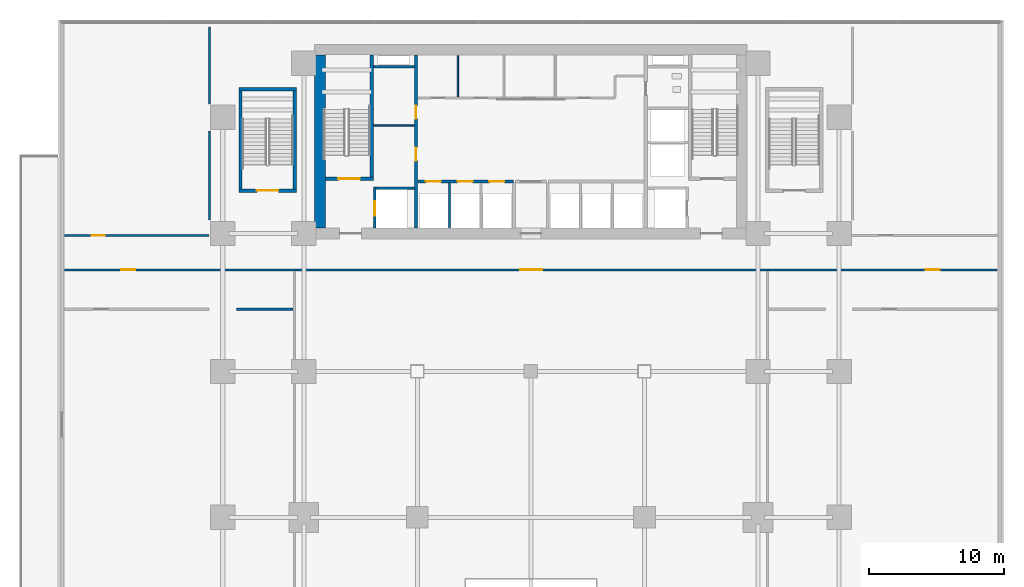
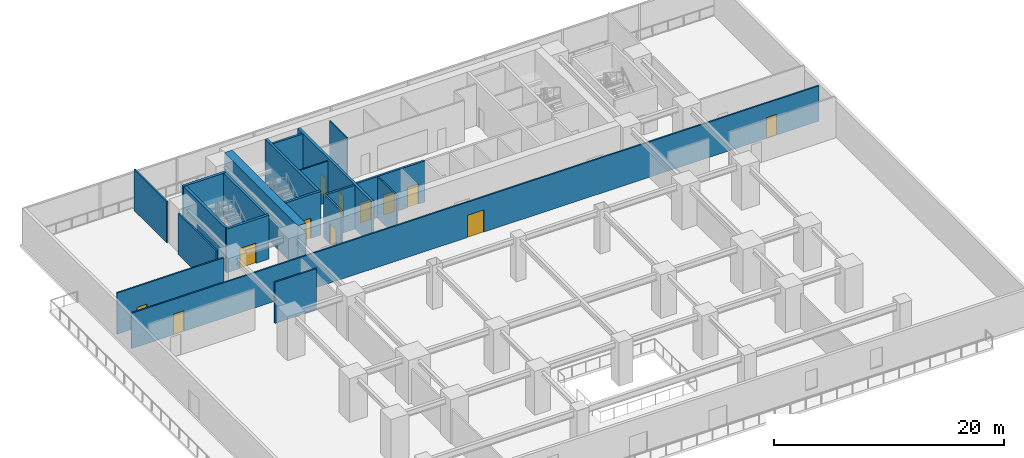
# One storey, part 9 of 17: 20 walls, 12 doors, 12 openings.
"""IFC4 building model written with IfcOpenShell, lengths in metres."""

from ifc_helpers import new_model, si_unit, direction, frame, frame_2d, origin, place, context, subcontext, project, spatial, rectangle, extrude, source, transform, mapped, material, layer, layer_set, type_object, element, fill, save


model = new_model("IFC4")

# Units and contexts
model_context = context("Model", 3, precision=1e-05, world=origin(), true_north=direction((0.0, 1.0)))
body_context = subcontext(model_context, "Body", "Model", "MODEL_VIEW")
ifc_project = project(units=[si_unit("LENGTHUNIT", "METRE"), si_unit("AREAUNIT", "SQUARE_METRE"), si_unit("VOLUMEUNIT", "CUBIC_METRE"), si_unit("PLANEANGLEUNIT", "RADIAN"), si_unit("MASSUNIT", "GRAM", prefix="KILO")], contexts=[model_context])

# Site, building, storey
site_placement = place(None, origin())
site = spatial("IfcSite", under=ifc_project, at=site_placement, CompositionType="ELEMENT")
building_placement = place(site_placement, origin())
building = spatial("IfcBuilding", under=site, at=building_placement, Name="Sumidabori Civic Tower", CompositionType="ELEMENT")
storey_placement = place(building_placement, frame((0.0, 0.0, 9.64990234375)))
storey = spatial("IfcBuildingStorey", under=building, at=storey_placement, Name="L02", CompositionType="ELEMENT", Elevation=9.64990234375)

# Wall
ifc_material_1 = material(Name="Concrete C60/75", Category="concrete")
ifc_layer_1 = layer(ifc_material_1, 0.800048828125, Name="Concrete C60/75")
ifc_layer_set_1 = layer_set([ifc_layer_1], Name="Concrete C60/75")
wall_type_1 = type_object("IfcWallType", Name="WL-CORE-800", PredefinedType="SHEAR", material=ifc_layer_set_1)
shared_shape_1 = source(origin(), body_context, "Body", "SweptSolid", [
    extrude(rectangle(XDim=12.7998046875, YDim=0.800048828125, at=frame_2d((6.39990234375, 0.0))), origin(), (0.0, 0.0, 1.0), 4.650146484375),
])
wall_1_placement = place(storey_placement, frame((-15.60009765625, 10.60009765625, 0.0), z_axis=(0.0, 0.0, 1.0), x_axis=(0.0, 1.0, 0.0)))
element("IfcWall", 1, at=wall_1_placement, inside=storey, type_object=wall_type_1, Name="Core Shear Wall L02 W", PredefinedType="SHEAR", context=body_context, shape_type="MappedRepresentation", body=[
    mapped(shared_shape_1, transform((0.0, 0.0, 0.0), x_axis=(1.0, 0.0, 0.0), y_axis=(0.0, 1.0, 0.0), z_axis=(0.0, 0.0, 1.0), scale=1.0)),
])

# Wall, openings, doors
ifc_material_2 = material(Name="Concrete C50/60", Category="concrete")
ifc_layer_2 = layer(ifc_material_2, 0.25, Name="Concrete C50/60")
ifc_layer_set_2 = layer_set([ifc_layer_2], Name="Concrete C50/60")
wall_type_2 = type_object("IfcWallType", Name="WL-SHAFT-250", PredefinedType="SHEAR", material=ifc_layer_set_2)
shared_shape_2 = source(origin(), body_context, "Body", "SweptSolid", [
    extrude(rectangle(XDim=12.7998046875, YDim=0.25, at=frame_2d((6.39990234375, 0.0))), origin(), (0.0, 0.0, 1.0), 4.650146484375),
])
wall_2_placement = place(storey_placement, frame((-8.5, 10.60009765625, 0.0), z_axis=(0.0, 0.0, 1.0), x_axis=(0.0, 1.0, 0.0)))
wall_2 = element("IfcWall", 2, at=wall_2_placement, inside=storey, type_object=wall_type_2, Name="Core Shear Wall L02 WEB-W", PredefinedType="SHEAR", context=body_context, shape_type="MappedRepresentation", body=[
    mapped(shared_shape_2, transform((0.0, 0.0, 0.0), x_axis=(1.0, 0.0, 0.0), y_axis=(0.0, 1.0, 0.0), z_axis=(0.0, 0.0, 1.0), scale=1.0)),
])
opening_1_placement = place(wall_2_placement, frame((5.0, 0.0, 0.0)))
opening_1 = element("IfcOpeningElement", 3, at=opening_1_placement, cuts=wall_2, Name="Opening DR-FD2", PredefinedType="OPENING", context=body_context, shape_type="SweptSolid", body=[
    extrude(rectangle(XDim=0.949951171875, YDim=2.14990234375, at=frame_2d((0.47509765625, 1.074951171875))), frame((0.0, 0.136962890625, 0.0), z_axis=(0.0, -1.0, 0.0), x_axis=(1.0, 0.0, 0.0)), (0.0, 0.0, 1.0), 0.27392578125),
])
opening_2_placement = place(wall_2_placement, frame((8.10009765625, 0.0, 0.0)))
opening_2 = element("IfcOpeningElement", 4, at=opening_2_placement, cuts=wall_2, Name="Opening DR-FD2", PredefinedType="OPENING", context=body_context, shape_type="SweptSolid", body=[
    extrude(rectangle(XDim=0.949951171875, YDim=2.14990234375, at=frame_2d((0.47509765625, 1.074951171875))), frame((0.0, 0.136962890625, 0.0), z_axis=(0.0, -1.0, 0.0), x_axis=(1.0, 0.0, 0.0)), (0.0, 0.0, 1.0), 0.27392578125),
])
ifc_material_3 = material(Name="Steel SN490", Category="steel")
door_type_1 = type_object("IfcDoorType", Name="DR-FD2", OperationType="NOTDEFINED", PredefinedType="DOOR", material=ifc_material_3)
shared_shape_3 = source(origin(), body_context, "Body", "SweptSolid", [
    extrude(rectangle(XDim=0.949951171875, YDim=2.14990234375, at=frame_2d((0.47509765625, 1.074951171875))), frame((0.0, 0.02490234375, 0.0), z_axis=(0.0, -1.0, 0.0), x_axis=(1.0, 0.0, 0.0)), (0.0, 0.0, 1.0), 0.050048828125),
])
door_1_placement = place(opening_1_placement, origin())
door_1 = element("IfcDoor", 5, at=door_1_placement, inside=storey, type_object=door_type_1, Name="Door DR:L02:CW-S1", OperationType="SINGLE_SWING_LEFT", OverallHeight=2.14990234375, OverallWidth=0.949951171875, PredefinedType="DOOR", context=body_context, shape_type="MappedRepresentation", body=[
    mapped(shared_shape_3, transform((0.0, 0.0, 0.0), x_axis=(1.0, 0.0, 0.0), y_axis=(0.0, 1.0, 0.0), z_axis=(0.0, 0.0, 1.0), scale=1.0)),
])
fill(opening_1, door_1)
door_2_placement = place(opening_2_placement, origin())
door_2 = element("IfcDoor", 6, at=door_2_placement, inside=storey, type_object=door_type_1, Name="Door DR:L02:CW-S2", OperationType="SINGLE_SWING_RIGHT", OverallHeight=2.14990234375, OverallWidth=0.949951171875, PredefinedType="DOOR", context=body_context, shape_type="MappedRepresentation", body=[
    mapped(shared_shape_3, transform((0.0, 0.0, 0.0), x_axis=(1.0, 0.0, 0.0), y_axis=(0.0, 1.0, 0.0), z_axis=(0.0, 0.0, 1.0), scale=1.0)),
])
fill(opening_2, door_2)

# Wall, opening, door
shared_shape_4 = source(origin(), body_context, "Body", "SweptSolid", [
    extrude(rectangle(XDim=3.554931640625, YDim=0.25, at=frame_2d((1.77734375, 0.0))), origin(), (0.0, 0.0, 1.0), 4.650146484375),
])
wall_3_placement = place(storey_placement, frame((-15.199951171875, 14.25, 0.0), z_axis=(0.0, 0.0, 1.0), x_axis=(1.0, 0.0, 0.0)))
wall_3 = element("IfcWall", 7, at=wall_3_placement, inside=storey, type_object=wall_type_2, Name="Core Shear Wall L02 ST1-S", PredefinedType="SHEAR", context=body_context, shape_type="MappedRepresentation", body=[
    mapped(shared_shape_4, transform((0.0, 0.0, 0.0), x_axis=(1.0, 0.0, 0.0), y_axis=(0.0, 1.0, 0.0), z_axis=(0.0, 0.0, 1.0), scale=1.0)),
])
opening_3_placement = place(wall_3_placement, frame((0.949951171875, 0.0, 0.0)))
opening_3 = element("IfcOpeningElement", 8, at=opening_3_placement, cuts=wall_3, Name="Opening DR-FD4", PredefinedType="OPENING", context=body_context, shape_type="SweptSolid", body=[
    extrude(rectangle(XDim=1.60009765625, YDim=2.14990234375, at=frame_2d((0.800048828125, 1.074951171875))), frame((0.0, 0.136962890625, 0.0), z_axis=(0.0, -1.0, 0.0), x_axis=(1.0, 0.0, 0.0)), (0.0, 0.0, 1.0), 0.27392578125),
])
door_type_2 = type_object("IfcDoorType", Name="DR-FD4", OperationType="DOUBLE_DOOR_SINGLE_SWING", PredefinedType="DOOR", material=ifc_material_3)
shared_shape_5 = source(origin(), body_context, "Body", "SweptSolid", [
    extrude(rectangle(XDim=1.60009765625, YDim=2.14990234375, at=frame_2d((0.800048828125, 1.074951171875))), frame((0.0, 0.02490234375, 0.0), z_axis=(0.0, -1.0, 0.0), x_axis=(1.0, 0.0, 0.0)), (0.0, 0.0, 1.0), 0.050048828125),
])
door_3_placement = place(opening_3_placement, origin())
door_3 = element("IfcDoor", 9, at=door_3_placement, inside=storey, type_object=door_type_2, Name="Door DR:L02:ST1", OperationType="DOUBLE_DOOR_SINGLE_SWING", OverallHeight=2.14990234375, OverallWidth=1.60009765625, PredefinedType="DOOR", context=body_context, shape_type="MappedRepresentation", body=[
    mapped(shared_shape_5, transform((0.0, 0.0, 0.0), x_axis=(1.0, 0.0, 0.0), y_axis=(0.0, 1.0, 0.0), z_axis=(0.0, 0.0, 1.0), scale=1.0)),
])
fill(opening_3, door_3)

# Wall
shared_shape_6 = source(origin(), body_context, "Body", "SweptSolid", [
    extrude(rectangle(XDim=9.02490234375, YDim=0.25, at=frame_2d((4.512451171875, 0.0))), origin(), (0.0, 0.0, 1.0), 4.650146484375),
])
wall_4_placement = place(storey_placement, frame((-11.77001953125, 14.375, 0.0), z_axis=(0.0, 0.0, 1.0), x_axis=(0.0, 1.0, 0.0)))
element("IfcWall", 10, at=wall_4_placement, inside=storey, type_object=wall_type_2, Name="Core Shear Wall L02 ST1-E", PredefinedType="SHEAR", context=body_context, shape_type="MappedRepresentation", body=[
    mapped(shared_shape_6, transform((0.0, 0.0, 0.0), x_axis=(1.0, 0.0, 0.0), y_axis=(0.0, 1.0, 0.0), z_axis=(0.0, 0.0, 1.0), scale=1.0)),
])

# Wall, opening, door
ifc_layer_3 = layer(ifc_material_2, 0.199951171875, Name="Concrete C50/60")
ifc_layer_set_3 = layer_set([ifc_layer_3], Name="Concrete C50/60")
wall_type_3 = type_object("IfcWallType", Name="WL-SHAFT-200", PredefinedType="SHEAR", material=ifc_layer_set_3)
shared_shape_7 = source(origin(), body_context, "Body", "SweptSolid", [
    extrude(rectangle(XDim=3.0498046875, YDim=0.199951171875, at=frame_2d((1.52490234375, 0.0))), origin(), (0.0, 0.0, 1.0), 4.650146484375),
])
wall_5_placement = place(storey_placement, frame((-11.550048828125, 10.60009765625, 0.0), z_axis=(0.0, 0.0, 1.0), x_axis=(0.0, 1.0, 0.0)))
wall_5 = element("IfcWall", 11, at=wall_5_placement, inside=storey, type_object=wall_type_3, Name="Core Shear Wall L02 EL1-W", PredefinedType="SHEAR", context=body_context, shape_type="MappedRepresentation", body=[
    mapped(shared_shape_7, transform((0.0, 0.0, 0.0), x_axis=(1.0, 0.0, 0.0), y_axis=(0.0, 1.0, 0.0), z_axis=(0.0, 0.0, 1.0), scale=1.0)),
])
opening_4_placement = place(wall_5_placement, frame((0.89990234375, 0.0, 0.0)))
opening_4 = element("IfcOpeningElement", 12, at=opening_4_placement, cuts=wall_5, Name="Opening LD-2", PredefinedType="OPENING", context=body_context, shape_type="SweptSolid", body=[
    extrude(rectangle(XDim=1.10009765625, YDim=2.14990234375, at=frame_2d((0.550048828125, 1.074951171875))), frame((0.0, 0.11181640625, 0.0), z_axis=(0.0, -1.0, 0.0), x_axis=(1.0, 0.0, 0.0)), (0.0, 0.0, 1.0), 0.223876953125),
])
ifc_material_4 = material(Name="Stainless Steel Hairline Finish", Category="steel")
door_type_3 = type_object("IfcDoorType", Name="DR-LD2", OperationType="DOUBLE_DOOR_SLIDING", PredefinedType="DOOR", material=ifc_material_4)
shared_shape_8 = source(origin(), body_context, "Body", "SweptSolid", [
    extrude(rectangle(XDim=1.10009765625, YDim=2.14990234375, at=frame_2d((0.550048828125, 1.074951171875))), frame((0.0, 0.02490234375, 0.0), z_axis=(0.0, -1.0, 0.0), x_axis=(1.0, 0.0, 0.0)), (0.0, 0.0, 1.0), 0.050048828125),
])
door_4_placement = place(opening_4_placement, origin())
door_4 = element("IfcDoor", 13, at=door_4_placement, inside=storey, type_object=door_type_3, Name="Door DR:L02:LD-EL1", OperationType="DOUBLE_DOOR_SLIDING", OverallHeight=2.14990234375, OverallWidth=1.10009765625, PredefinedType="DOOR", context=body_context, shape_type="MappedRepresentation", body=[
    mapped(shared_shape_8, transform((0.0, 0.0, 0.0), x_axis=(1.0, 0.0, 0.0), y_axis=(0.0, 1.0, 0.0), z_axis=(0.0, 0.0, 1.0), scale=1.0)),
])
fill(opening_4, door_4)

# Walls
shared_shape_9 = source(origin(), body_context, "Body", "SweptSolid", [
    extrude(rectangle(XDim=2.824951171875, YDim=0.199951171875, at=frame_2d((1.41259765625, 0.0))), origin(), (0.0, 0.0, 1.0), 4.650146484375),
])
wall_6_placement = place(storey_placement, frame((-11.449951171875, 13.550048828125, 0.0), z_axis=(0.0, 0.0, 1.0), x_axis=(1.0, 0.0, 0.0)))
element("IfcWall", 14, at=wall_6_placement, inside=storey, type_object=wall_type_3, Name="Core Shear Wall L02 EL1-N", PredefinedType="SHEAR", context=body_context, shape_type="MappedRepresentation", body=[
    mapped(shared_shape_9, transform((0.0, 0.0, 0.0), x_axis=(1.0, 0.0, 0.0), y_axis=(0.0, 1.0, 0.0), z_axis=(0.0, 0.0, 1.0), scale=1.0)),
])
shared_shape_10 = source(origin(), body_context, "Body", "SweptSolid", [
    extrude(rectangle(XDim=3.02001953125, YDim=0.199951171875, at=frame_2d((1.510009765625, 0.0))), origin(), (0.0, 0.0, 1.0), 4.650146484375),
])
wall_7_placement = place(storey_placement, frame((-11.64501953125, 22.550048828125, 0.0), z_axis=(0.0, 0.0, 1.0), x_axis=(1.0, 0.0, 0.0)))
element("IfcWall", 15, at=wall_7_placement, inside=storey, type_object=wall_type_3, Name="Core Shear Wall L02 RIS1-S", PredefinedType="SHEAR", context=body_context, shape_type="MappedRepresentation", body=[
    mapped(shared_shape_10, transform((0.0, 0.0, 0.0), x_axis=(1.0, 0.0, 0.0), y_axis=(0.0, 1.0, 0.0), z_axis=(0.0, 0.0, 1.0), scale=1.0)),
])
shared_shape_11 = source(origin(), body_context, "Body", "SweptSolid", [
    extrude(rectangle(XDim=4.260009765625, YDim=0.25, at=frame_2d((2.1298828125, 0.0))), origin(), (0.0, 0.0, 1.0), 4.650146484375),
])
wall_8_placement = place(storey_placement, frame((-21.610107421875, 20.864990234375, 0.0), z_axis=(0.0, 0.0, 1.0), x_axis=(1.0, 0.0, 0.0)))
element("IfcWall", 16, at=wall_8_placement, inside=storey, type_object=wall_type_2, Name="Core Shear Wall L02 ST3-N", PredefinedType="SHEAR", context=body_context, shape_type="MappedRepresentation", body=[
    mapped(shared_shape_11, transform((0.0, 0.0, 0.0), x_axis=(1.0, 0.0, 0.0), y_axis=(0.0, 1.0, 0.0), z_axis=(0.0, 0.0, 1.0), scale=1.0)),
])

# Wall, opening, door
wall_9_placement = place(storey_placement, frame((-21.610107421875, 13.375, 0.0), z_axis=(0.0, 0.0, 1.0), x_axis=(1.0, 0.0, 0.0)))
wall_9 = element("IfcWall", 17, at=wall_9_placement, inside=storey, type_object=wall_type_2, Name="Core Shear Wall L02 ST3-S", PredefinedType="SHEAR", context=body_context, shape_type="MappedRepresentation", body=[
    mapped(shared_shape_11, transform((0.0, 0.0, 0.0), x_axis=(1.0, 0.0, 0.0), y_axis=(0.0, 1.0, 0.0), z_axis=(0.0, 0.0, 1.0), scale=1.0)),
])
opening_5_placement = place(wall_9_placement, frame((1.330078125, 0.0, 0.0)))
opening_5 = element("IfcOpeningElement", 18, at=opening_5_placement, cuts=wall_9, Name="Opening DR-FD4", PredefinedType="OPENING", context=body_context, shape_type="SweptSolid", body=[
    extrude(rectangle(XDim=1.60009765625, YDim=2.14990234375, at=frame_2d((0.800048828125, 1.074951171875))), frame((0.0, 0.136962890625, 0.0), z_axis=(0.0, -1.0, 0.0), x_axis=(1.0, 0.0, 0.0)), (0.0, 0.0, 1.0), 0.27392578125),
])
door_5_placement = place(opening_5_placement, origin())
door_5 = element("IfcDoor", 19, at=door_5_placement, inside=storey, type_object=door_type_2, Name="Door DR:L02:ST3", OperationType="DOUBLE_DOOR_SINGLE_SWING", OverallHeight=2.14990234375, OverallWidth=1.60009765625, PredefinedType="DOOR", context=body_context, shape_type="MappedRepresentation", body=[
    mapped(shared_shape_5, transform((0.0, 0.0, 0.0), x_axis=(1.0, 0.0, 0.0), y_axis=(0.0, 1.0, 0.0), z_axis=(0.0, 0.0, 1.0), scale=1.0)),
])
fill(opening_5, door_5)

# Walls
shared_shape_12 = source(origin(), body_context, "Body", "SweptSolid", [
    extrude(rectangle(XDim=7.230224609375, YDim=0.25, at=frame_2d((3.615234375, 0.0))), origin(), (0.0, 0.0, 1.0), 4.650146484375),
])
for number, where, z_axis, x_axis, name in (
    (20, (-21.485107421875, 13.5048828125, 0.0), (0.0, 0.0, 1.0), (0.0, 1.0, 0.0), "Core Shear Wall L02 ST3-W"),
    (21, (-17.47509765625, 13.5048828125, 0.0), (0.0, 0.0, 1.0), (0.0, 1.0, 0.0), "Core Shear Wall L02 ST3-E"),
):
    element("IfcWall", number, at=place(storey_placement, frame(where, z_axis=z_axis, x_axis=x_axis)), inside=storey, type_object=wall_type_2, Name=name, PredefinedType="SHEAR", context=body_context, shape_type="MappedRepresentation", body=[
        mapped(shared_shape_12, transform((0.0, 0.0, 0.0), x_axis=(1.0, 0.0, 0.0), y_axis=(0.0, 1.0, 0.0), z_axis=(0.0, 0.0, 1.0), scale=1.0)),
    ])

# Wall, openings, doors
ifc_material_5 = material(Name="Gypsum Plasterboard Fire Partition")
ifc_layer_4 = layer(ifc_material_5, 0.199951171875, Name="Gypsum Plasterboard Fire Partition")
ifc_layer_set_4 = layer_set([ifc_layer_4], Name="Gypsum Plasterboard Fire Partition")
wall_type_4 = type_object("IfcWallType", Name="WL-PART-FIRE", PredefinedType="PARTITIONING", material=ifc_layer_set_4)
shared_shape_13 = source(origin(), body_context, "Body", "SweptSolid", [
    extrude(rectangle(XDim=7.070068359375, YDim=0.199951171875, at=frame_2d((3.53515625, 0.0))), origin(), (0.0, 0.0, 1.0), 4.3701171875),
])
wall_10_placement = place(storey_placement, frame((-8.3701171875, 14.050048828125, 0.0), z_axis=(0.0, 0.0, 1.0), x_axis=(1.0, 0.0, 0.0)))
wall_10 = element("IfcWall", 22, at=wall_10_placement, inside=storey, type_object=wall_type_4, Name="Interior Partition WL:L02:CBAND-SW", PredefinedType="PARTITIONING", context=body_context, shape_type="MappedRepresentation", body=[
    mapped(shared_shape_13, transform((0.0, 0.0, 0.0), x_axis=(1.0, 0.0, 0.0), y_axis=(0.0, 1.0, 0.0), z_axis=(0.0, 0.0, 1.0), scale=1.0)),
])
opening_6_placement = place(wall_10_placement, frame((0.60009765625, 0.0, 0.0)))
opening_6 = element("IfcOpeningElement", 23, at=opening_6_placement, cuts=wall_10, Name="Opening LD-1", PredefinedType="OPENING", context=body_context, shape_type="SweptSolid", body=[
    extrude(rectangle(XDim=1.10009765625, YDim=2.14990234375, at=frame_2d((0.550048828125, 1.074951171875))), frame((0.0, 0.11181640625, 0.0), z_axis=(0.0, -1.0, 0.0), x_axis=(1.0, 0.0, 0.0)), (0.0, 0.0, 1.0), 0.223876953125),
])
opening_7_placement = place(wall_10_placement, frame((2.949951171875, 0.0, 0.0)))
opening_7 = element("IfcOpeningElement", 24, at=opening_7_placement, cuts=wall_10, Name="Opening LD-1", PredefinedType="OPENING", context=body_context, shape_type="SweptSolid", body=[
    extrude(rectangle(XDim=1.10009765625, YDim=2.14990234375, at=frame_2d((0.550048828125, 1.074951171875))), frame((0.0, 0.11181640625, 0.0), z_axis=(0.0, -1.0, 0.0), x_axis=(1.0, 0.0, 0.0)), (0.0, 0.0, 1.0), 0.223876953125),
])
opening_8_placement = place(wall_10_placement, frame((5.300048828125, 0.0, 0.0)))
opening_8 = element("IfcOpeningElement", 25, at=opening_8_placement, cuts=wall_10, Name="Opening LD-1", PredefinedType="OPENING", context=body_context, shape_type="SweptSolid", body=[
    extrude(rectangle(XDim=1.10009765625, YDim=2.14990234375, at=frame_2d((0.550048828125, 1.074951171875))), frame((0.0, 0.11181640625, 0.0), z_axis=(0.0, -1.0, 0.0), x_axis=(1.0, 0.0, 0.0)), (0.0, 0.0, 1.0), 0.223876953125),
])
door_type_4 = type_object("IfcDoorType", Name="DR-LD1", OperationType="DOUBLE_DOOR_SLIDING", PredefinedType="DOOR", material=ifc_material_4)
door_6_placement = place(opening_6_placement, origin())
door_6 = element("IfcDoor", 26, at=door_6_placement, inside=storey, type_object=door_type_4, Name="Door DR:L02:LD-PLL1", OperationType="DOUBLE_DOOR_SLIDING", OverallHeight=2.14990234375, OverallWidth=1.10009765625, PredefinedType="DOOR", context=body_context, shape_type="MappedRepresentation", body=[
    mapped(shared_shape_8, transform((0.0, 0.0, 0.0), x_axis=(1.0, 0.0, 0.0), y_axis=(0.0, 1.0, 0.0), z_axis=(0.0, 0.0, 1.0), scale=1.0)),
])
fill(opening_6, door_6)
door_7_placement = place(opening_7_placement, origin())
door_7 = element("IfcDoor", 27, at=door_7_placement, inside=storey, type_object=door_type_4, Name="Door DR:L02:LD-PLL2", OperationType="DOUBLE_DOOR_SLIDING", OverallHeight=2.14990234375, OverallWidth=1.10009765625, PredefinedType="DOOR", context=body_context, shape_type="MappedRepresentation", body=[
    mapped(shared_shape_8, transform((0.0, 0.0, 0.0), x_axis=(1.0, 0.0, 0.0), y_axis=(0.0, 1.0, 0.0), z_axis=(0.0, 0.0, 1.0), scale=1.0)),
])
fill(opening_7, door_7)
door_8_placement = place(opening_8_placement, origin())
door_8 = element("IfcDoor", 28, at=door_8_placement, inside=storey, type_object=door_type_4, Name="Door DR:L02:LD-PLL3", OperationType="DOUBLE_DOOR_SLIDING", OverallHeight=2.14990234375, OverallWidth=1.10009765625, PredefinedType="DOOR", context=body_context, shape_type="MappedRepresentation", body=[
    mapped(shared_shape_8, transform((0.0, 0.0, 0.0), x_axis=(1.0, 0.0, 0.0), y_axis=(0.0, 1.0, 0.0), z_axis=(0.0, 0.0, 1.0), scale=1.0)),
])
fill(opening_8, door_8)

# Walls
ifc_material_6 = material(Name="Gypsum Plasterboard Acoustic Partition")
ifc_layer_5 = layer(ifc_material_6, 0.14990234375, Name="Gypsum Plasterboard Acoustic Partition")
ifc_layer_set_5 = layer_set([ifc_layer_5], Name="Gypsum Plasterboard Acoustic Partition")
wall_type_5 = type_object("IfcWallType", Name="WL-PART-150", PredefinedType="PARTITIONING", material=ifc_layer_set_5)
shared_shape_14 = source(origin(), body_context, "Body", "SweptSolid", [
    extrude(rectangle(XDim=3.33984375, YDim=0.14990234375, at=frame_2d((1.669921875, 0.0))), origin(), (0.0, 0.0, 1.0), 4.3701171875),
])
wall_11_placement = place(storey_placement, frame((-6.030029296875, 10.60009765625, 0.0), z_axis=(0.0, 0.0, 1.0), x_axis=(0.0, 1.0, 0.0)))
element("IfcWall", 29, at=wall_11_placement, inside=storey, type_object=wall_type_5, Name="Interior Partition WL:L02:DIV-PLL1", PredefinedType="PARTITIONING", context=body_context, shape_type="MappedRepresentation", body=[
    mapped(shared_shape_14, transform((0.0, 0.0, 0.0), x_axis=(1.0, 0.0, 0.0), y_axis=(0.0, 1.0, 0.0), z_axis=(0.0, 0.0, 1.0), scale=1.0)),
])
ifc_layer_6 = layer(ifc_material_6, 0.1201171875, Name="Gypsum Plasterboard Acoustic Partition")
ifc_layer_set_6 = layer_set([ifc_layer_6], Name="Gypsum Plasterboard Acoustic Partition")
wall_type_6 = type_object("IfcWallType", Name="WL-PART-120", PredefinedType="PARTITIONING", material=ifc_layer_set_6)
shared_shape_15 = source(origin(), body_context, "Body", "SweptSolid", [
    extrude(rectangle(XDim=3.0400390625, YDim=0.1201171875, at=frame_2d((1.52001953125, 0.0))), origin(), (0.0, 0.0, 1.0), 4.3701171875),
])
wall_12_placement = place(storey_placement, frame((-5.39990234375, 20.320068359375, 0.0), z_axis=(0.0, 0.0, 1.0), x_axis=(0.0, 1.0, 0.0)))
element("IfcWall", 30, at=wall_12_placement, inside=storey, type_object=wall_type_6, Name="Interior Partition WL:L02:LV8-S1", PredefinedType="PARTITIONING", context=body_context, shape_type="MappedRepresentation", body=[
    mapped(shared_shape_15, transform((0.0, 0.0, 0.0), x_axis=(1.0, 0.0, 0.0), y_axis=(0.0, 1.0, 0.0), z_axis=(0.0, 0.0, 1.0), scale=1.0)),
])
shared_shape_16 = source(origin(), body_context, "Body", "SweptSolid", [
    extrude(rectangle(XDim=6.60009765625, YDim=0.14990234375, at=frame_2d((3.300048828125, 0.0))), origin(), (0.0, 0.0, 1.0), 4.3701171875),
])
wall_13_placement = place(storey_placement, frame((-23.780029296875, 11.199951171875, 0.0), z_axis=(0.0, 0.0, 1.0), x_axis=(0.0, 1.0, 0.0)))
element("IfcWall", 31, at=wall_13_placement, inside=storey, type_object=wall_type_5, Name="Interior Partition WL:L02:NW-E1", PredefinedType="PARTITIONING", context=body_context, shape_type="MappedRepresentation", body=[
    mapped(shared_shape_16, transform((0.0, 0.0, 0.0), x_axis=(1.0, 0.0, 0.0), y_axis=(0.0, 1.0, 0.0), z_axis=(0.0, 0.0, 1.0), scale=1.0)),
])
shared_shape_17 = source(origin(), body_context, "Body", "SweptSolid", [
    extrude(rectangle(XDim=4.179931640625, YDim=0.14990234375, at=frame_2d((2.08984375, 0.0))), origin(), (0.0, 0.0, 1.0), 4.3701171875),
])
wall_14_placement = place(storey_placement, frame((-21.800048828125, 4.60009765625, 0.0), z_axis=(0.0, 0.0, 1.0), x_axis=(1.0, 0.0, 0.0)))
element("IfcWall", 32, at=wall_14_placement, inside=storey, type_object=wall_type_5, Name="Interior Partition WL:L02:SUB-W2", PredefinedType="PARTITIONING", context=body_context, shape_type="MappedRepresentation", body=[
    mapped(shared_shape_17, transform((0.0, 0.0, 0.0), x_axis=(1.0, 0.0, 0.0), y_axis=(0.0, 1.0, 0.0), z_axis=(0.0, 0.0, 1.0), scale=1.0)),
])
shared_shape_18 = source(origin(), body_context, "Body", "SweptSolid", [
    extrude(rectangle(XDim=3.010009765625, YDim=0.1201171875, at=frame_2d((1.5048828125, 0.0))), origin(), (0.0, 0.0, 1.0), 4.3701171875),
])
wall_15_placement = place(storey_placement, frame((-11.639892578125, 18.199951171875, 0.0), z_axis=(0.0, 0.0, 1.0), x_axis=(1.0, 0.0, 0.0)))
element("IfcWall", 33, at=wall_15_placement, inside=storey, type_object=wall_type_6, Name="Interior Partition WL:L02:CW-MID", PredefinedType="PARTITIONING", context=body_context, shape_type="MappedRepresentation", body=[
    mapped(shared_shape_18, transform((0.0, 0.0, 0.0), x_axis=(1.0, 0.0, 0.0), y_axis=(0.0, 1.0, 0.0), z_axis=(0.0, 0.0, 1.0), scale=1.0)),
])

# Wall, openings, doors
shared_shape_19 = source(origin(), body_context, "Body", "SweptSolid", [
    extrude(rectangle(XDim=69.0, YDim=0.14990234375, at=frame_2d((34.5, 0.0))), origin(), (0.0, 0.0, 1.0), 3.755126953125),
])
wall_16_placement = place(storey_placement, frame((-34.5, 7.52001953125, 0.0), z_axis=(0.0, 0.0, 1.0), x_axis=(1.0, 0.0, 0.0)))
wall_16 = element("IfcWall", 34, at=wall_16_placement, inside=storey, type_object=wall_type_5, Name="Interior Partition WL:L02:CORR-S", PredefinedType="PARTITIONING", context=body_context, shape_type="MappedRepresentation", body=[
    mapped(shared_shape_19, transform((0.0, 0.0, 0.0), x_axis=(1.0, 0.0, 0.0), y_axis=(0.0, 1.0, 0.0), z_axis=(0.0, 0.0, 1.0), scale=1.0)),
])
opening_9_placement = place(wall_16_placement, frame((4.199951171875, 0.0, 0.0)))
opening_9 = element("IfcOpeningElement", 35, at=opening_9_placement, cuts=wall_16, Name="Opening DR-4", PredefinedType="OPENING", context=body_context, shape_type="SweptSolid", body=[
    extrude(rectangle(XDim=1.0400390625, YDim=2.199951171875, at=frame_2d((0.52001953125, 1.10009765625))), frame((0.0, 0.0869140625, 0.0), z_axis=(0.0, -1.0, 0.0), x_axis=(1.0, 0.0, 0.0)), (0.0, 0.0, 1.0), 0.173828125),
])
opening_10_placement = place(wall_16_placement, frame((33.699951171875, 0.0, 0.0)))
opening_10 = element("IfcOpeningElement", 36, at=opening_10_placement, cuts=wall_16, Name="Opening DR-6", PredefinedType="OPENING", context=body_context, shape_type="SweptSolid", body=[
    extrude(rectangle(XDim=1.64990234375, YDim=2.35009765625, at=frame_2d((0.824951171875, 1.175048828125))), frame((0.0, 0.0869140625, 0.0), z_axis=(0.0, -1.0, 0.0), x_axis=(1.0, 0.0, 0.0)), (0.0, 0.0, 1.0), 0.173828125),
])
opening_11_placement = place(wall_16_placement, frame((63.699951171875, 0.0, 0.0)))
opening_11 = element("IfcOpeningElement", 37, at=opening_11_placement, cuts=wall_16, Name="Opening DR-4", PredefinedType="OPENING", context=body_context, shape_type="SweptSolid", body=[
    extrude(rectangle(XDim=1.0400390625, YDim=2.199951171875, at=frame_2d((0.52001953125, 1.10009765625))), frame((0.0, 0.0869140625, 0.0), z_axis=(0.0, -1.0, 0.0), x_axis=(1.0, 0.0, 0.0)), (0.0, 0.0, 1.0), 0.173828125),
])
ifc_material_7 = material(Name="Anodised Bronze Aluminium AW-6063-T6", Category="aluminium")
door_type_5 = type_object("IfcDoorType", Name="DR-DBL-1650", OperationType="DOUBLE_DOOR_SINGLE_SWING", PredefinedType="DOOR", material=ifc_material_7)
shared_shape_20 = source(origin(), body_context, "Body", "SweptSolid", [
    extrude(rectangle(XDim=1.64990234375, YDim=2.35009765625, at=frame_2d((0.824951171875, 1.175048828125))), frame((0.0, 0.02490234375, 0.0), z_axis=(0.0, -1.0, 0.0), x_axis=(1.0, 0.0, 0.0)), (0.0, 0.0, 1.0), 0.050048828125),
])
door_9_placement = place(opening_10_placement, origin())
door_9 = element("IfcDoor", 38, at=door_9_placement, inside=storey, type_object=door_type_5, Name="Door DR:L02:PD-2", OperationType="DOUBLE_DOOR_SINGLE_SWING", OverallHeight=2.35009765625, OverallWidth=1.64990234375, PredefinedType="DOOR", context=body_context, shape_type="MappedRepresentation", body=[
    mapped(shared_shape_20, transform((0.0, 0.0, 0.0), x_axis=(1.0, 0.0, 0.0), y_axis=(0.0, 1.0, 0.0), z_axis=(0.0, 0.0, 1.0), scale=1.0)),
])
fill(opening_10, door_9)
ifc_material_8 = material(Name="Japanese Hinoki Timber", Category="wood")
door_type_6 = type_object("IfcDoorType", Name="DR-INT-1040", OperationType="NOTDEFINED", PredefinedType="DOOR", material=ifc_material_8)
shared_shape_21 = source(origin(), body_context, "Body", "SweptSolid", [
    extrude(rectangle(XDim=1.0400390625, YDim=2.199951171875, at=frame_2d((0.52001953125, 1.10009765625))), frame((0.0, 0.02490234375, 0.0), z_axis=(0.0, -1.0, 0.0), x_axis=(1.0, 0.0, 0.0)), (0.0, 0.0, 1.0), 0.050048828125),
])
door_10_placement = place(opening_9_placement, origin())
door_10 = element("IfcDoor", 39, at=door_10_placement, inside=storey, type_object=door_type_6, Name="Door DR:L02:PD-1", OperationType="SINGLE_SWING_LEFT", OverallHeight=2.199951171875, OverallWidth=1.0400390625, PredefinedType="DOOR", context=body_context, shape_type="MappedRepresentation", body=[
    mapped(shared_shape_21, transform((0.0, 0.0, 0.0), x_axis=(1.0, 0.0, 0.0), y_axis=(0.0, 1.0, 0.0), z_axis=(0.0, 0.0, 1.0), scale=1.0)),
])
fill(opening_9, door_10)
door_11_placement = place(opening_11_placement, origin())
door_11 = element("IfcDoor", 40, at=door_11_placement, inside=storey, type_object=door_type_6, Name="Door DR:L02:PD-3", OperationType="SINGLE_SWING_RIGHT", OverallHeight=2.199951171875, OverallWidth=1.0400390625, PredefinedType="DOOR", context=body_context, shape_type="MappedRepresentation", body=[
    mapped(shared_shape_21, transform((0.0, 0.0, 0.0), x_axis=(1.0, 0.0, 0.0), y_axis=(0.0, 1.0, 0.0), z_axis=(0.0, 0.0, 1.0), scale=1.0)),
])
fill(opening_11, door_11)

# Wall, opening, door
shared_shape_22 = source(origin(), body_context, "Body", "SweptSolid", [
    extrude(rectangle(XDim=10.699951171875, YDim=0.14990234375, at=frame_2d((5.35009765625, 0.0))), origin(), (0.0, 0.0, 1.0), 4.3701171875),
])
wall_17_placement = place(storey_placement, frame((-34.5, 10.050048828125, 0.0), z_axis=(0.0, 0.0, 1.0), x_axis=(1.0, 0.0, 0.0)))
wall_17 = element("IfcWall", 41, at=wall_17_placement, inside=storey, type_object=wall_type_5, Name="Interior Partition WL:L02:CORR-NW", PredefinedType="PARTITIONING", context=body_context, shape_type="MappedRepresentation", body=[
    mapped(shared_shape_22, transform((0.0, 0.0, 0.0), x_axis=(1.0, 0.0, 0.0), y_axis=(0.0, 1.0, 0.0), z_axis=(0.0, 0.0, 1.0), scale=1.0)),
])
opening_12_placement = place(wall_17_placement, frame((2.0, 0.0, 0.0)))
opening_12 = element("IfcOpeningElement", 42, at=opening_12_placement, cuts=wall_17, Name="Opening DR-3", PredefinedType="OPENING", context=body_context, shape_type="SweptSolid", body=[
    extrude(rectangle(XDim=0.97998046875, YDim=2.14990234375, at=frame_2d((0.489990234375, 1.074951171875))), frame((0.0, 0.0869140625, 0.0), z_axis=(0.0, -1.0, 0.0), x_axis=(1.0, 0.0, 0.0)), (0.0, 0.0, 1.0), 0.173828125),
])
door_type_7 = type_object("IfcDoorType", Name="DR-INT-980", OperationType="NOTDEFINED", PredefinedType="DOOR", material=ifc_material_8)
shared_shape_23 = source(origin(), body_context, "Body", "SweptSolid", [
    extrude(rectangle(XDim=0.97998046875, YDim=2.14990234375, at=frame_2d((0.489990234375, 1.074951171875))), frame((0.0, 0.02490234375, 0.0), z_axis=(0.0, -1.0, 0.0), x_axis=(1.0, 0.0, 0.0)), (0.0, 0.0, 1.0), 0.050048828125),
])
door_12_placement = place(opening_12_placement, origin())
door_12 = element("IfcDoor", 43, at=door_12_placement, inside=storey, type_object=door_type_7, Name="Door DR:L02:PD-NW", OperationType="SINGLE_SWING_LEFT", OverallHeight=2.14990234375, OverallWidth=0.97998046875, PredefinedType="DOOR", context=body_context, shape_type="MappedRepresentation", body=[
    mapped(shared_shape_23, transform((0.0, 0.0, 0.0), x_axis=(1.0, 0.0, 0.0), y_axis=(0.0, 1.0, 0.0), z_axis=(0.0, 0.0, 1.0), scale=1.0)),
])
fill(opening_12, door_12)

# Wall
shared_shape_24 = source(origin(), body_context, "Body", "SweptSolid", [
    extrude(rectangle(XDim=5.699951171875, YDim=0.14990234375, at=frame_2d((2.85009765625, 0.0))), origin(), (0.0, 0.0, 1.0), 4.3701171875),
])
wall_18_placement = place(storey_placement, frame((-23.780029296875, 19.800048828125, 0.0), z_axis=(0.0, 0.0, 1.0), x_axis=(0.0, 1.0, 0.0)))
element("IfcWall", 44, at=wall_18_placement, inside=storey, type_object=wall_type_5, Name="Interior Partition WL:L02:NW-E2", PredefinedType="PARTITIONING", context=body_context, shape_type="MappedRepresentation", body=[
    mapped(shared_shape_24, transform((0.0, 0.0, 0.0), x_axis=(1.0, 0.0, 0.0), y_axis=(0.0, 1.0, 0.0), z_axis=(0.0, 0.0, 1.0), scale=1.0)),
])

save(model, "model.ifc")
